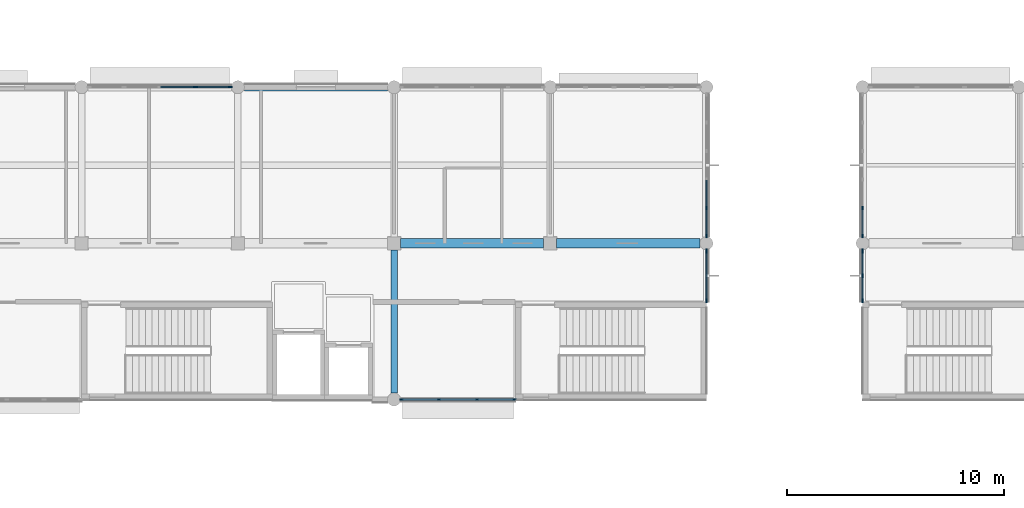
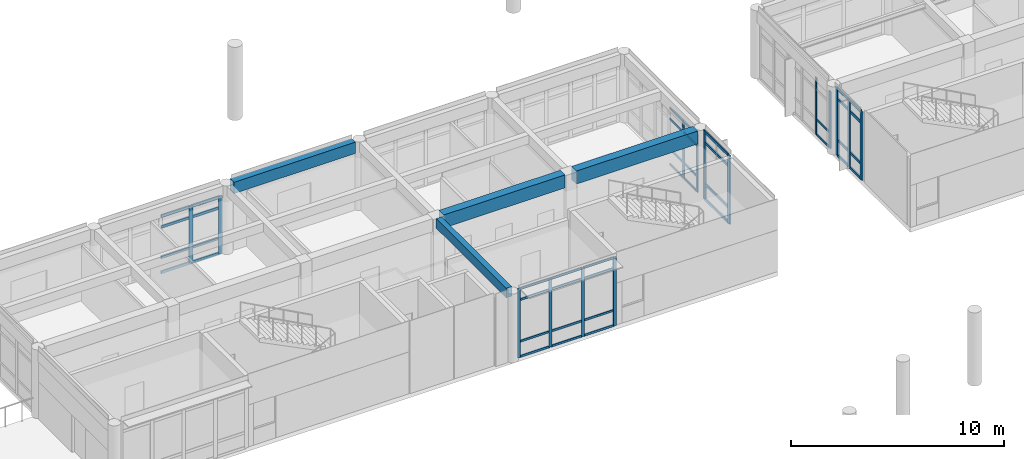
# One storey, part 8 of 41: 57 members, 4 beams, 6 elements without a shape of their own.
"""IFC4 building model written with IfcOpenShell, lengths in metres."""

from ifc_helpers import new_model, si_unit, direction, frame, origin, origin_2d, place, context, subcontext, project, spatial, rectangle, extrude, material, layer, layer_set, material_profile, profile_set, type_object, element, aggregate, save


model = new_model("IFC4")

# Units and contexts
model_context = context("Model", 3, precision=1e-05, world=origin(), true_north=direction((0.0, 1.0)))
body_context = subcontext(model_context, "Body", "Model", "MODEL_VIEW")
ifc_project = project(units=[si_unit("LENGTHUNIT", "METRE"), si_unit("AREAUNIT", "SQUARE_METRE"), si_unit("VOLUMEUNIT", "CUBIC_METRE"), si_unit("PLANEANGLEUNIT", "RADIAN"), si_unit("MASSUNIT", "GRAM", prefix="KILO")], contexts=[model_context])

# Site, building, storey
site_placement = place(None, origin())
site = spatial("IfcSite", under=ifc_project, at=site_placement, CompositionType="ELEMENT")
building_placement = place(site_placement, origin())
building = spatial("IfcBuilding", under=site, at=building_placement, Name="Namkhue Oval Health Centre", CompositionType="ELEMENT")
storey_placement = place(building_placement, frame((0.0, 0.0, 13.800048828125)))
storey = spatial("IfcBuildingStorey", under=building, at=storey_placement, Name="L03", CompositionType="ELEMENT", Elevation=13.800048828125)

# Curtain wall, members
ifc_material_1 = material(Name="Anodised aluminium EN AW-6063 T6", Category="aluminium")
ifc_layer_1 = layer(ifc_material_1, 0.159912109375)
ifc_layer_set_1 = layer_set([ifc_layer_1], Name="Anodised aluminium EN AW-6063 T6")
curtain_wall_type_1 = type_object("IfcCurtainWallType", Name="UNITISED CURTAIN WALL M1800", PredefinedType="NOTDEFINED", material=ifc_layer_set_1)
curtain_wall_1_placement = place(storey_placement, origin())
curtain_wall_1 = element("IfcCurtainWall", 1, at=curtain_wall_1_placement, inside=storey, type_object=curtain_wall_type_1, Name="Volume V2 L03 Unitised Curtain Wall 71", PredefinedType="NOTDEFINED")
ifc_material_profile_1 = material_profile(ifc_material_1, rectangle(XDim=0.06494140625, YDim=0.159912109375, at=origin_2d()), Name="ALU 65x160")
ifc_profile_set_1 = profile_set([ifc_material_profile_1], Name="Anodised aluminium EN AW-6063 T6")
member_type_1 = type_object("IfcMemberType", Name="CURTAIN WALL MULLION 65X160", PredefinedType="MULLION", material=ifc_profile_set_1)
member_1_placement = place(storey_placement, frame((72.342529296875, 90.0, 0.0), z_axis=(0.0, 0.0, 1.0), x_axis=(0.0, 1.0, 0.0)))
member_1 = element("IfcMember", 2, at=member_1_placement, type_object=member_type_1, Name="CW-05 mullion 1", PredefinedType="MULLION", context=body_context, shape_type="SweptSolid", body=[
    extrude(rectangle(XDim=0.06494140625, YDim=0.159912109375, at=origin_2d()), origin(), (0.0, 0.0, 1.0), 3.945068359375),
])
member_2_placement = place(storey_placement, frame((74.067626953125, 90.0, 0.0), z_axis=(0.0, 0.0, 1.0), x_axis=(0.0, 1.0, 0.0)))
member_2 = element("IfcMember", 3, at=member_2_placement, type_object=member_type_1, Name="CW-05 mullion 2", PredefinedType="MULLION", context=body_context, shape_type="SweptSolid", body=[
    extrude(rectangle(XDim=0.06494140625, YDim=0.159912109375, at=origin_2d()), origin(), (0.0, 0.0, 1.0), 3.945068359375),
])
member_3_placement = place(storey_placement, frame((75.825439453125, 90.0, 0.0), z_axis=(0.0, 0.0, 1.0), x_axis=(0.0, 1.0, 0.0)))
member_3 = element("IfcMember", 4, at=member_3_placement, type_object=member_type_1, Name="CW-05 mullion 3", PredefinedType="MULLION", context=body_context, shape_type="SweptSolid", body=[
    extrude(rectangle(XDim=0.06494140625, YDim=0.159912109375, at=origin_2d()), origin(), (0.0, 0.0, 1.0), 3.945068359375),
])
member_4_placement = place(storey_placement, frame((77.550537109375, 90.0, 0.0), z_axis=(0.0, 0.0, 1.0), x_axis=(0.0, 1.0, 0.0)))
member_4 = element("IfcMember", 5, at=member_4_placement, type_object=member_type_1, Name="CW-05 mullion 4", PredefinedType="MULLION", context=body_context, shape_type="SweptSolid", body=[
    extrude(rectangle(XDim=0.06494140625, YDim=0.159912109375, at=origin_2d()), origin(), (0.0, 0.0, 1.0), 3.945068359375),
])

ifc_layer_2 = layer(ifc_material_1, 0.159912109375)
ifc_layer_set_2 = layer_set([ifc_layer_2], Name="Anodised aluminium EN AW-6063 T6")
curtain_wall_type_2 = type_object("IfcCurtainWallType", Name="UNITISED CURTAIN WALL M1200", PredefinedType="NOTDEFINED", material=ifc_layer_set_2)
curtain_wall_2_placement = place(storey_placement, origin())
curtain_wall_2 = element("IfcCurtainWall", 6, at=curtain_wall_2_placement, inside=storey, type_object=curtain_wall_type_2, Name="Volume V2 L03 Unitised Curtain Wall 73", PredefinedType="NOTDEFINED")
member_5_placement = place(storey_placement, frame((86.39990234375, 97.54248046875, 0.0), z_axis=(0.0, 0.0, 1.0), x_axis=(-1.0, 0.0, 0.0)))
member_5 = element("IfcMember", 7, at=member_5_placement, type_object=member_type_1, Name="CW-01 mullion 1", PredefinedType="MULLION", context=body_context, shape_type="SweptSolid", body=[
    extrude(rectangle(XDim=0.06494140625, YDim=0.159912109375, at=origin_2d()), origin(), (0.0, 0.0, 1.0), 3.294921875),
])
member_6_placement = place(storey_placement, frame((86.39990234375, 98.825927734375, 0.0), z_axis=(0.0, 0.0, 1.0), x_axis=(-1.0, 0.0, 0.0)))
member_6 = element("IfcMember", 8, at=member_6_placement, type_object=member_type_1, Name="CW-01 mullion 2", PredefinedType="MULLION", context=body_context, shape_type="SweptSolid", body=[
    extrude(rectangle(XDim=0.06494140625, YDim=0.159912109375, at=origin_2d()), origin(), (0.0, 0.0, 1.0), 3.294921875),
])

curtain_wall_3_placement = place(storey_placement, origin())
curtain_wall_3 = element("IfcCurtainWall", 9, at=curtain_wall_3_placement, inside=storey, type_object=curtain_wall_type_2, Name="Volume V3 L03 Unitised Curtain Wall 121", PredefinedType="NOTDEFINED")
member_7_placement = place(storey_placement, frame((93.60009765625, 98.825927734375, 0.0), z_axis=(0.0, 0.0, 1.0), x_axis=(1.0, 0.0, 0.0)))
member_7 = element("IfcMember", 10, at=member_7_placement, type_object=member_type_1, Name="CW-01 mullion 5", PredefinedType="MULLION", context=body_context, shape_type="SweptSolid", body=[
    extrude(rectangle(XDim=0.06494140625, YDim=0.159912109375, at=origin_2d()), origin(), (0.0, 0.0, 1.0), 3.27001953125),
])
member_8_placement = place(storey_placement, frame((93.60009765625, 97.54248046875, 0.0), z_axis=(0.0, 0.0, 1.0), x_axis=(1.0, 0.0, 0.0)))
member_8 = element("IfcMember", 11, at=member_8_placement, type_object=member_type_1, Name="CW-01 mullion 6", PredefinedType="MULLION", context=body_context, shape_type="SweptSolid", body=[
    extrude(rectangle(XDim=0.06494140625, YDim=0.159912109375, at=origin_2d()), origin(), (0.0, 0.0, 1.0), 3.27001953125),
])

ifc_layer_3 = layer(ifc_material_1, 0.159912109375)
ifc_layer_set_3 = layer_set([ifc_layer_3], Name="Anodised aluminium EN AW-6063 T6")
curtain_wall_type_3 = type_object("IfcCurtainWallType", Name="UNITISED CURTAIN WALL M2000", PredefinedType="NOTDEFINED", material=ifc_layer_set_3)
curtain_wall_4_placement = place(storey_placement, origin())
curtain_wall_4 = element("IfcCurtainWall", 12, at=curtain_wall_4_placement, inside=storey, type_object=curtain_wall_type_3, Name="Volume V2 L03 Unitised Curtain Wall 72", PredefinedType="NOTDEFINED")
ifc_material_profile_2 = material_profile(ifc_material_1, rectangle(XDim=0.074951171875, YDim=0.199951171875, at=origin_2d()), Name="ALU 75x200")
ifc_profile_set_2 = profile_set([ifc_material_profile_2], Name="Anodised aluminium EN AW-6063 T6")
member_type_2 = type_object("IfcMemberType", Name="CURTAIN WALL MULLION 75X200", PredefinedType="MULLION", material=ifc_profile_set_2)
member_9_placement = place(storey_placement, frame((86.39990234375, 94.554443359375, 0.0), z_axis=(0.0, 0.0, 1.0), x_axis=(-1.0, 0.0, 0.0)))
member_9 = element("IfcMember", 13, at=member_9_placement, type_object=member_type_2, Name="CW-06 mullion 1", PredefinedType="MULLION", context=body_context, shape_type="SweptSolid", body=[
    extrude(rectangle(XDim=0.074951171875, YDim=0.199951171875, at=origin_2d()), origin(), (0.0, 0.0, 1.0), 3.945068359375),
])
member_10_placement = place(storey_placement, frame((86.39990234375, 96.8525390625, 0.0), z_axis=(0.0, 0.0, 1.0), x_axis=(-1.0, 0.0, 0.0)))
member_10 = element("IfcMember", 14, at=member_10_placement, type_object=member_type_2, Name="CW-06 mullion 2", PredefinedType="MULLION", context=body_context, shape_type="SweptSolid", body=[
    extrude(rectangle(XDim=0.074951171875, YDim=0.199951171875, at=origin_2d()), origin(), (0.0, 0.0, 1.0), 3.945068359375),
])

ifc_layer_4 = layer(ifc_material_1, 0.159912109375)
ifc_layer_set_4 = layer_set([ifc_layer_4], Name="Anodised aluminium EN AW-6063 T6")
curtain_wall_type_4 = type_object("IfcCurtainWallType", Name="UNITISED CURTAIN WALL M1600", PredefinedType="NOTDEFINED", material=ifc_layer_set_4)
curtain_wall_5_placement = place(storey_placement, origin())
curtain_wall_5 = element("IfcCurtainWall", 15, at=curtain_wall_5_placement, inside=storey, type_object=curtain_wall_type_4, Name="Volume V2 L03 Unitised Curtain Wall 76", PredefinedType="NOTDEFINED")
member_11_placement = place(storey_placement, frame((64.452392578125, 104.39990234375, 0.0), z_axis=(0.0, 0.0, 1.0), x_axis=(0.0, -1.0, 0.0)))
member_11 = element("IfcMember", 16, at=member_11_placement, type_object=member_type_2, Name="CW-04 mullion 1", PredefinedType="MULLION", context=body_context, shape_type="SweptSolid", body=[
    extrude(rectangle(XDim=0.074951171875, YDim=0.199951171875, at=origin_2d()), origin(), (0.0, 0.0, 1.0), 3.294921875),
])
member_12_placement = place(storey_placement, frame((62.844970703125, 104.39990234375, 0.0), z_axis=(0.0, 0.0, 1.0), x_axis=(0.0, -1.0, 0.0)))
member_12 = element("IfcMember", 17, at=member_12_placement, type_object=member_type_2, Name="CW-04 mullion 2", PredefinedType="MULLION", context=body_context, shape_type="SweptSolid", body=[
    extrude(rectangle(XDim=0.074951171875, YDim=0.199951171875, at=origin_2d()), origin(), (0.0, 0.0, 1.0), 3.294921875),
])

ifc_layer_5 = layer(ifc_material_1, 0.159912109375)
ifc_layer_set_5 = layer_set([ifc_layer_5], Name="Anodised aluminium EN AW-6063 T6")
curtain_wall_type_5 = type_object("IfcCurtainWallType", Name="UNITISED CURTAIN WALL M1350", PredefinedType="NOTDEFINED", material=ifc_layer_set_5)
curtain_wall_6_placement = place(storey_placement, origin())
curtain_wall_6 = element("IfcCurtainWall", 18, at=curtain_wall_6_placement, inside=storey, type_object=curtain_wall_type_5, Name="Volume V3 L03 Unitised Curtain Wall 122", PredefinedType="NOTDEFINED")
member_13_placement = place(storey_placement, frame((93.60009765625, 96.8525390625, 0.0), z_axis=(0.0, 0.0, 1.0), x_axis=(1.0, 0.0, 0.0)))
member_13 = element("IfcMember", 19, at=member_13_placement, type_object=member_type_2, Name="CW-02 mullion 1", PredefinedType="MULLION", context=body_context, shape_type="SweptSolid", body=[
    extrude(rectangle(XDim=0.074951171875, YDim=0.199951171875, at=origin_2d()), origin(), (0.0, 0.0, 1.0), 3.919921875),
])
member_14_placement = place(storey_placement, frame((93.60009765625, 95.70361328125, 0.0), z_axis=(0.0, 0.0, 1.0), x_axis=(1.0, 0.0, 0.0)))
member_14 = element("IfcMember", 20, at=member_14_placement, type_object=member_type_2, Name="CW-02 mullion 2", PredefinedType="MULLION", context=body_context, shape_type="SweptSolid", body=[
    extrude(rectangle(XDim=0.074951171875, YDim=0.199951171875, at=origin_2d()), origin(), (0.0, 0.0, 1.0), 3.919921875),
])
member_15_placement = place(storey_placement, frame((93.60009765625, 94.554443359375, 0.0), z_axis=(0.0, 0.0, 1.0), x_axis=(1.0, 0.0, 0.0)))
member_15 = element("IfcMember", 21, at=member_15_placement, type_object=member_type_2, Name="CW-02 mullion 3", PredefinedType="MULLION", context=body_context, shape_type="SweptSolid", body=[
    extrude(rectangle(XDim=0.074951171875, YDim=0.199951171875, at=origin_2d()), origin(), (0.0, 0.0, 1.0), 3.919921875),
])

# Member
ifc_material_profile_3 = material_profile(ifc_material_1, rectangle(XDim=0.06494140625, YDim=0.1201171875, at=origin_2d()), Name="ALU 65x120")
ifc_profile_set_3 = profile_set([ifc_material_profile_3], Name="Anodised aluminium EN AW-6063 T6")
member_type_3 = type_object("IfcMemberType", Name="CURTAIN WALL TRANSOM 65X120", PredefinedType="USERDEFINED", material=ifc_profile_set_3)
member_16_placement = place(storey_placement, frame((72.375, 90.0, 0.032470703125), z_axis=(1.0, 0.0, 0.0), x_axis=(0.0, 1.0, 0.0)))
member_16 = element("IfcMember", 22, at=member_16_placement, type_object=member_type_3, Name="CW-05 transom 1.1", ObjectType="TRANSOM", PredefinedType="USERDEFINED", context=body_context, shape_type="SweptSolid", body=[
    extrude(rectangle(XDim=0.06494140625, YDim=0.1201171875, at=origin_2d()), origin(), (0.0, 0.0, 1.0), 1.66015625),
])

member_17_placement = place(storey_placement, frame((72.375, 90.0, 0.89990234375), z_axis=(1.0, 0.0, 0.0), x_axis=(0.0, 1.0, 0.0)))
member_17 = element("IfcMember", 23, at=member_17_placement, type_object=member_type_3, Name="CW-05 transom 1.2", ObjectType="TRANSOM", PredefinedType="USERDEFINED", context=body_context, shape_type="SweptSolid", body=[
    extrude(rectangle(XDim=0.06494140625, YDim=0.1201171875, at=origin_2d()), origin(), (0.0, 0.0, 1.0), 1.66015625),
])

member_18_placement = place(storey_placement, frame((72.375, 90.0, 3.294921875), z_axis=(1.0, 0.0, 0.0), x_axis=(0.0, 1.0, 0.0)))
member_18 = element("IfcMember", 24, at=member_18_placement, type_object=member_type_3, Name="CW-05 transom 1.3", ObjectType="TRANSOM", PredefinedType="USERDEFINED", context=body_context, shape_type="SweptSolid", body=[
    extrude(rectangle(XDim=0.06494140625, YDim=0.1201171875, at=origin_2d()), origin(), (0.0, 0.0, 1.0), 1.66015625),
])

member_19_placement = place(storey_placement, frame((72.375, 90.0, 3.912353515625), z_axis=(1.0, 0.0, 0.0), x_axis=(0.0, 1.0, 0.0)))
member_19 = element("IfcMember", 25, at=member_19_placement, type_object=member_type_3, Name="CW-05 transom 1.4", ObjectType="TRANSOM", PredefinedType="USERDEFINED", context=body_context, shape_type="SweptSolid", body=[
    extrude(rectangle(XDim=0.06494140625, YDim=0.1201171875, at=origin_2d()), origin(), (0.0, 0.0, 1.0), 1.66015625),
])

member_20_placement = place(storey_placement, frame((74.10009765625, 90.0, 0.032470703125), z_axis=(1.0, 0.0, 0.0), x_axis=(0.0, 1.0, 0.0)))
member_20 = element("IfcMember", 26, at=member_20_placement, type_object=member_type_3, Name="CW-05 transom 2.1", ObjectType="TRANSOM", PredefinedType="USERDEFINED", context=body_context, shape_type="SweptSolid", body=[
    extrude(rectangle(XDim=0.06494140625, YDim=0.1201171875, at=origin_2d()), origin(), (0.0, 0.0, 1.0), 1.692626953125),
])

member_21_placement = place(storey_placement, frame((74.10009765625, 90.0, 0.89990234375), z_axis=(1.0, 0.0, 0.0), x_axis=(0.0, 1.0, 0.0)))
member_21 = element("IfcMember", 27, at=member_21_placement, type_object=member_type_3, Name="CW-05 transom 2.2", ObjectType="TRANSOM", PredefinedType="USERDEFINED", context=body_context, shape_type="SweptSolid", body=[
    extrude(rectangle(XDim=0.06494140625, YDim=0.1201171875, at=origin_2d()), origin(), (0.0, 0.0, 1.0), 1.692626953125),
])

member_22_placement = place(storey_placement, frame((74.10009765625, 90.0, 3.294921875), z_axis=(1.0, 0.0, 0.0), x_axis=(0.0, 1.0, 0.0)))
member_22 = element("IfcMember", 28, at=member_22_placement, type_object=member_type_3, Name="CW-05 transom 2.3", ObjectType="TRANSOM", PredefinedType="USERDEFINED", context=body_context, shape_type="SweptSolid", body=[
    extrude(rectangle(XDim=0.06494140625, YDim=0.1201171875, at=origin_2d()), origin(), (0.0, 0.0, 1.0), 1.692626953125),
])

member_23_placement = place(storey_placement, frame((74.10009765625, 90.0, 3.912353515625), z_axis=(1.0, 0.0, 0.0), x_axis=(0.0, 1.0, 0.0)))
member_23 = element("IfcMember", 29, at=member_23_placement, type_object=member_type_3, Name="CW-05 transom 2.4", ObjectType="TRANSOM", PredefinedType="USERDEFINED", context=body_context, shape_type="SweptSolid", body=[
    extrude(rectangle(XDim=0.06494140625, YDim=0.1201171875, at=origin_2d()), origin(), (0.0, 0.0, 1.0), 1.692626953125),
])

member_24_placement = place(storey_placement, frame((75.85791015625, 90.0, 0.032470703125), z_axis=(1.0, 0.0, 0.0), x_axis=(0.0, 1.0, 0.0)))
member_24 = element("IfcMember", 30, at=member_24_placement, type_object=member_type_3, Name="CW-05 transom 3.1", ObjectType="TRANSOM", PredefinedType="USERDEFINED", context=body_context, shape_type="SweptSolid", body=[
    extrude(rectangle(XDim=0.06494140625, YDim=0.1201171875, at=origin_2d()), origin(), (0.0, 0.0, 1.0), 1.66015625),
])

member_25_placement = place(storey_placement, frame((75.85791015625, 90.0, 0.89990234375), z_axis=(1.0, 0.0, 0.0), x_axis=(0.0, 1.0, 0.0)))
member_25 = element("IfcMember", 31, at=member_25_placement, type_object=member_type_3, Name="CW-05 transom 3.2", ObjectType="TRANSOM", PredefinedType="USERDEFINED", context=body_context, shape_type="SweptSolid", body=[
    extrude(rectangle(XDim=0.06494140625, YDim=0.1201171875, at=origin_2d()), origin(), (0.0, 0.0, 1.0), 1.66015625),
])

member_26_placement = place(storey_placement, frame((75.85791015625, 90.0, 3.294921875), z_axis=(1.0, 0.0, 0.0), x_axis=(0.0, 1.0, 0.0)))
member_26 = element("IfcMember", 32, at=member_26_placement, type_object=member_type_3, Name="CW-05 transom 3.3", ObjectType="TRANSOM", PredefinedType="USERDEFINED", context=body_context, shape_type="SweptSolid", body=[
    extrude(rectangle(XDim=0.06494140625, YDim=0.1201171875, at=origin_2d()), origin(), (0.0, 0.0, 1.0), 1.66015625),
])

member_27_placement = place(storey_placement, frame((75.85791015625, 90.0, 3.912353515625), z_axis=(1.0, 0.0, 0.0), x_axis=(0.0, 1.0, 0.0)))
member_27 = element("IfcMember", 33, at=member_27_placement, type_object=member_type_3, Name="CW-05 transom 3.4", ObjectType="TRANSOM", PredefinedType="USERDEFINED", context=body_context, shape_type="SweptSolid", body=[
    extrude(rectangle(XDim=0.06494140625, YDim=0.1201171875, at=origin_2d()), origin(), (0.0, 0.0, 1.0), 1.66015625),
])

aggregate(curtain_wall_1, [member_1, member_2, member_3, member_4, member_16, member_17, member_18, member_19, member_20, member_21, member_22, member_23, member_24, member_25, member_26, member_27])

member_28_placement = place(storey_placement, frame((86.39990234375, 97.574951171875, 0.032470703125), z_axis=(0.0, 1.0, 0.0), x_axis=(-1.0, 0.0, 0.0)))
member_28 = element("IfcMember", 34, at=member_28_placement, type_object=member_type_3, Name="CW-01 transom 1.1", ObjectType="TRANSOM", PredefinedType="USERDEFINED", context=body_context, shape_type="SweptSolid", body=[
    extrude(rectangle(XDim=0.06494140625, YDim=0.1201171875, at=origin_2d()), origin(), (0.0, 0.0, 1.0), 1.218505859375),
])

member_29_placement = place(storey_placement, frame((86.39990234375, 97.574951171875, 0.89990234375), z_axis=(0.0, 1.0, 0.0), x_axis=(-1.0, 0.0, 0.0)))
member_29 = element("IfcMember", 35, at=member_29_placement, type_object=member_type_3, Name="CW-01 transom 1.2", ObjectType="TRANSOM", PredefinedType="USERDEFINED", context=body_context, shape_type="SweptSolid", body=[
    extrude(rectangle(XDim=0.06494140625, YDim=0.1201171875, at=origin_2d()), origin(), (0.0, 0.0, 1.0), 1.218505859375),
])

member_30_placement = place(storey_placement, frame((86.39990234375, 97.574951171875, 2.64501953125), z_axis=(0.0, 1.0, 0.0), x_axis=(-1.0, 0.0, 0.0)))
member_30 = element("IfcMember", 36, at=member_30_placement, type_object=member_type_3, Name="CW-01 transom 1.3", ObjectType="TRANSOM", PredefinedType="USERDEFINED", context=body_context, shape_type="SweptSolid", body=[
    extrude(rectangle(XDim=0.06494140625, YDim=0.1201171875, at=origin_2d()), origin(), (0.0, 0.0, 1.0), 1.218505859375),
])

member_31_placement = place(storey_placement, frame((86.39990234375, 97.574951171875, 3.262451171875), z_axis=(0.0, 1.0, 0.0), x_axis=(-1.0, 0.0, 0.0)))
member_31 = element("IfcMember", 37, at=member_31_placement, type_object=member_type_3, Name="CW-01 transom 1.4", ObjectType="TRANSOM", PredefinedType="USERDEFINED", context=body_context, shape_type="SweptSolid", body=[
    extrude(rectangle(XDim=0.06494140625, YDim=0.1201171875, at=origin_2d()), origin(), (0.0, 0.0, 1.0), 1.218505859375),
])

member_32_placement = place(storey_placement, frame((86.39990234375, 98.8583984375, 0.032470703125), z_axis=(0.0, 1.0, 0.0), x_axis=(-1.0, 0.0, 0.0)))
member_32 = element("IfcMember", 38, at=member_32_placement, type_object=member_type_3, Name="CW-01 transom 2.1", ObjectType="TRANSOM", PredefinedType="USERDEFINED", context=body_context, shape_type="SweptSolid", body=[
    extrude(rectangle(XDim=0.06494140625, YDim=0.1201171875, at=origin_2d()), origin(), (0.0, 0.0, 1.0), 1.251220703125),
])

member_33_placement = place(storey_placement, frame((86.39990234375, 98.8583984375, 0.89990234375), z_axis=(0.0, 1.0, 0.0), x_axis=(-1.0, 0.0, 0.0)))
member_33 = element("IfcMember", 39, at=member_33_placement, type_object=member_type_3, Name="CW-01 transom 2.2", ObjectType="TRANSOM", PredefinedType="USERDEFINED", context=body_context, shape_type="SweptSolid", body=[
    extrude(rectangle(XDim=0.06494140625, YDim=0.1201171875, at=origin_2d()), origin(), (0.0, 0.0, 1.0), 1.251220703125),
])

member_34_placement = place(storey_placement, frame((86.39990234375, 98.8583984375, 2.64501953125), z_axis=(0.0, 1.0, 0.0), x_axis=(-1.0, 0.0, 0.0)))
member_34 = element("IfcMember", 40, at=member_34_placement, type_object=member_type_3, Name="CW-01 transom 2.3", ObjectType="TRANSOM", PredefinedType="USERDEFINED", context=body_context, shape_type="SweptSolid", body=[
    extrude(rectangle(XDim=0.06494140625, YDim=0.1201171875, at=origin_2d()), origin(), (0.0, 0.0, 1.0), 1.251220703125),
])

member_35_placement = place(storey_placement, frame((86.39990234375, 98.8583984375, 3.262451171875), z_axis=(0.0, 1.0, 0.0), x_axis=(-1.0, 0.0, 0.0)))
member_35 = element("IfcMember", 41, at=member_35_placement, type_object=member_type_3, Name="CW-01 transom 2.4", ObjectType="TRANSOM", PredefinedType="USERDEFINED", context=body_context, shape_type="SweptSolid", body=[
    extrude(rectangle(XDim=0.06494140625, YDim=0.1201171875, at=origin_2d()), origin(), (0.0, 0.0, 1.0), 1.251220703125),
])

aggregate(curtain_wall_2, [member_5, member_6, member_28, member_29, member_30, member_31, member_32, member_33, member_34, member_35])

member_36_placement = place(storey_placement, frame((93.60009765625, 98.79345703125, 0.032470703125), z_axis=(0.0, -1.0, 0.0), x_axis=(1.0, 0.0, 0.0)))
member_36 = element("IfcMember", 42, at=member_36_placement, type_object=member_type_3, Name="CW-01 transom 5.1", ObjectType="TRANSOM", PredefinedType="USERDEFINED", context=body_context, shape_type="SweptSolid", body=[
    extrude(rectangle(XDim=0.06494140625, YDim=0.1201171875, at=origin_2d()), origin(), (0.0, 0.0, 1.0), 1.218505859375),
])

member_37_placement = place(storey_placement, frame((93.60009765625, 98.79345703125, 0.89990234375), z_axis=(0.0, -1.0, 0.0), x_axis=(1.0, 0.0, 0.0)))
member_37 = element("IfcMember", 43, at=member_37_placement, type_object=member_type_3, Name="CW-01 transom 5.2", ObjectType="TRANSOM", PredefinedType="USERDEFINED", context=body_context, shape_type="SweptSolid", body=[
    extrude(rectangle(XDim=0.06494140625, YDim=0.1201171875, at=origin_2d()), origin(), (0.0, 0.0, 1.0), 1.218505859375),
])

aggregate(curtain_wall_3, [member_7, member_8, member_36, member_37])

ifc_material_profile_4 = material_profile(ifc_material_1, rectangle(XDim=0.074951171875, YDim=0.14990234375, at=origin_2d()), Name="ALU 75x150")
ifc_profile_set_4 = profile_set([ifc_material_profile_4], Name="Anodised aluminium EN AW-6063 T6")
member_type_4 = type_object("IfcMemberType", Name="CURTAIN WALL TRANSOM 75X150", PredefinedType="USERDEFINED", material=ifc_profile_set_4)
member_38_placement = place(storey_placement, frame((86.39990234375, 94.592041015625, 0.037353515625), z_axis=(0.0, 1.0, 0.0), x_axis=(-1.0, 0.0, 0.0)))
member_38 = element("IfcMember", 44, at=member_38_placement, type_object=member_type_4, Name="CW-06 transom 1.1", ObjectType="TRANSOM", PredefinedType="USERDEFINED", context=body_context, shape_type="SweptSolid", body=[
    extrude(rectangle(XDim=0.074951171875, YDim=0.14990234375, at=origin_2d()), origin(), (0.0, 0.0, 1.0), 2.222900390625),
])

member_39_placement = place(storey_placement, frame((86.39990234375, 94.592041015625, 0.89990234375), z_axis=(0.0, 1.0, 0.0), x_axis=(-1.0, 0.0, 0.0)))
member_39 = element("IfcMember", 45, at=member_39_placement, type_object=member_type_4, Name="CW-06 transom 1.2", ObjectType="TRANSOM", PredefinedType="USERDEFINED", context=body_context, shape_type="SweptSolid", body=[
    extrude(rectangle(XDim=0.074951171875, YDim=0.14990234375, at=origin_2d()), origin(), (0.0, 0.0, 1.0), 2.222900390625),
])

member_40_placement = place(storey_placement, frame((86.39990234375, 94.592041015625, 3.294921875), z_axis=(0.0, 1.0, 0.0), x_axis=(-1.0, 0.0, 0.0)))
member_40 = element("IfcMember", 46, at=member_40_placement, type_object=member_type_4, Name="CW-06 transom 1.3", ObjectType="TRANSOM", PredefinedType="USERDEFINED", context=body_context, shape_type="SweptSolid", body=[
    extrude(rectangle(XDim=0.074951171875, YDim=0.14990234375, at=origin_2d()), origin(), (0.0, 0.0, 1.0), 2.222900390625),
])

member_41_placement = place(storey_placement, frame((86.39990234375, 94.592041015625, 3.907470703125), z_axis=(0.0, 1.0, 0.0), x_axis=(-1.0, 0.0, 0.0)))
member_41 = element("IfcMember", 47, at=member_41_placement, type_object=member_type_4, Name="CW-06 transom 1.4", ObjectType="TRANSOM", PredefinedType="USERDEFINED", context=body_context, shape_type="SweptSolid", body=[
    extrude(rectangle(XDim=0.074951171875, YDim=0.14990234375, at=origin_2d()), origin(), (0.0, 0.0, 1.0), 2.222900390625),
])

aggregate(curtain_wall_4, [member_9, member_10, member_38, member_39, member_40, member_41])

member_42_placement = place(storey_placement, frame((64.4150390625, 104.39990234375, 0.037353515625), z_axis=(-1.0, 0.0, 0.0), x_axis=(0.0, -1.0, 0.0)))
member_42 = element("IfcMember", 48, at=member_42_placement, type_object=member_type_4, Name="CW-04 transom 1.1", ObjectType="TRANSOM", PredefinedType="USERDEFINED", context=body_context, shape_type="SweptSolid", body=[
    extrude(rectangle(XDim=0.074951171875, YDim=0.14990234375, at=origin_2d()), origin(), (0.0, 0.0, 1.0), 1.532470703125),
])

member_43_placement = place(storey_placement, frame((64.4150390625, 104.39990234375, 0.89990234375), z_axis=(-1.0, 0.0, 0.0), x_axis=(0.0, -1.0, 0.0)))
member_43 = element("IfcMember", 49, at=member_43_placement, type_object=member_type_4, Name="CW-04 transom 1.2", ObjectType="TRANSOM", PredefinedType="USERDEFINED", context=body_context, shape_type="SweptSolid", body=[
    extrude(rectangle(XDim=0.074951171875, YDim=0.14990234375, at=origin_2d()), origin(), (0.0, 0.0, 1.0), 1.532470703125),
])

member_44_placement = place(storey_placement, frame((64.4150390625, 104.39990234375, 2.64501953125), z_axis=(-1.0, 0.0, 0.0), x_axis=(0.0, -1.0, 0.0)))
member_44 = element("IfcMember", 50, at=member_44_placement, type_object=member_type_4, Name="CW-04 transom 1.3", ObjectType="TRANSOM", PredefinedType="USERDEFINED", context=body_context, shape_type="SweptSolid", body=[
    extrude(rectangle(XDim=0.074951171875, YDim=0.14990234375, at=origin_2d()), origin(), (0.0, 0.0, 1.0), 1.532470703125),
])

member_45_placement = place(storey_placement, frame((64.4150390625, 104.39990234375, 3.257568359375), z_axis=(-1.0, 0.0, 0.0), x_axis=(0.0, -1.0, 0.0)))
member_45 = element("IfcMember", 51, at=member_45_placement, type_object=member_type_4, Name="CW-04 transom 1.4", ObjectType="TRANSOM", PredefinedType="USERDEFINED", context=body_context, shape_type="SweptSolid", body=[
    extrude(rectangle(XDim=0.074951171875, YDim=0.14990234375, at=origin_2d()), origin(), (0.0, 0.0, 1.0), 1.532470703125),
])

member_46_placement = place(storey_placement, frame((62.8076171875, 104.39990234375, 0.037353515625), z_axis=(-1.0, 0.0, 0.0), x_axis=(0.0, -1.0, 0.0)))
member_46 = element("IfcMember", 52, at=member_46_placement, type_object=member_type_4, Name="CW-04 transom 2.1", ObjectType="TRANSOM", PredefinedType="USERDEFINED", context=body_context, shape_type="SweptSolid", body=[
    extrude(rectangle(XDim=0.074951171875, YDim=0.14990234375, at=origin_2d()), origin(), (0.0, 0.0, 1.0), 1.570068359375),
])

member_47_placement = place(storey_placement, frame((62.8076171875, 104.39990234375, 0.89990234375), z_axis=(-1.0, 0.0, 0.0), x_axis=(0.0, -1.0, 0.0)))
member_47 = element("IfcMember", 53, at=member_47_placement, type_object=member_type_4, Name="CW-04 transom 2.2", ObjectType="TRANSOM", PredefinedType="USERDEFINED", context=body_context, shape_type="SweptSolid", body=[
    extrude(rectangle(XDim=0.074951171875, YDim=0.14990234375, at=origin_2d()), origin(), (0.0, 0.0, 1.0), 1.570068359375),
])

member_48_placement = place(storey_placement, frame((62.8076171875, 104.39990234375, 2.64501953125), z_axis=(-1.0, 0.0, 0.0), x_axis=(0.0, -1.0, 0.0)))
member_48 = element("IfcMember", 54, at=member_48_placement, type_object=member_type_4, Name="CW-04 transom 2.3", ObjectType="TRANSOM", PredefinedType="USERDEFINED", context=body_context, shape_type="SweptSolid", body=[
    extrude(rectangle(XDim=0.074951171875, YDim=0.14990234375, at=origin_2d()), origin(), (0.0, 0.0, 1.0), 1.570068359375),
])

member_49_placement = place(storey_placement, frame((62.8076171875, 104.39990234375, 3.257568359375), z_axis=(-1.0, 0.0, 0.0), x_axis=(0.0, -1.0, 0.0)))
member_49 = element("IfcMember", 55, at=member_49_placement, type_object=member_type_4, Name="CW-04 transom 2.4", ObjectType="TRANSOM", PredefinedType="USERDEFINED", context=body_context, shape_type="SweptSolid", body=[
    extrude(rectangle(XDim=0.074951171875, YDim=0.14990234375, at=origin_2d()), origin(), (0.0, 0.0, 1.0), 1.570068359375),
])

aggregate(curtain_wall_5, [member_11, member_12, member_42, member_43, member_44, member_45, member_46, member_47, member_48, member_49])

member_50_placement = place(storey_placement, frame((93.60009765625, 96.81494140625, 0.037353515625), z_axis=(0.0, -1.0, 0.0), x_axis=(1.0, 0.0, 0.0)))
member_50 = element("IfcMember", 56, at=member_50_placement, type_object=member_type_4, Name="CW-02 transom 1.1", ObjectType="TRANSOM", PredefinedType="USERDEFINED", context=body_context, shape_type="SweptSolid", body=[
    extrude(rectangle(XDim=0.074951171875, YDim=0.14990234375, at=origin_2d()), origin(), (0.0, 0.0, 1.0), 1.073974609375),
])

member_51_placement = place(storey_placement, frame((93.60009765625, 96.81494140625, 0.89990234375), z_axis=(0.0, -1.0, 0.0), x_axis=(1.0, 0.0, 0.0)))
member_51 = element("IfcMember", 57, at=member_51_placement, type_object=member_type_4, Name="CW-02 transom 1.2", ObjectType="TRANSOM", PredefinedType="USERDEFINED", context=body_context, shape_type="SweptSolid", body=[
    extrude(rectangle(XDim=0.074951171875, YDim=0.14990234375, at=origin_2d()), origin(), (0.0, 0.0, 1.0), 1.073974609375),
])

member_52_placement = place(storey_placement, frame((93.60009765625, 96.81494140625, 3.27001953125), z_axis=(0.0, -1.0, 0.0), x_axis=(1.0, 0.0, 0.0)))
member_52 = element("IfcMember", 58, at=member_52_placement, type_object=member_type_4, Name="CW-02 transom 1.3", ObjectType="TRANSOM", PredefinedType="USERDEFINED", context=body_context, shape_type="SweptSolid", body=[
    extrude(rectangle(XDim=0.074951171875, YDim=0.14990234375, at=origin_2d()), origin(), (0.0, 0.0, 1.0), 1.073974609375),
])

member_53_placement = place(storey_placement, frame((93.60009765625, 96.81494140625, 3.882568359375), z_axis=(0.0, -1.0, 0.0), x_axis=(1.0, 0.0, 0.0)))
member_53 = element("IfcMember", 59, at=member_53_placement, type_object=member_type_4, Name="CW-02 transom 1.4", ObjectType="TRANSOM", PredefinedType="USERDEFINED", context=body_context, shape_type="SweptSolid", body=[
    extrude(rectangle(XDim=0.074951171875, YDim=0.14990234375, at=origin_2d()), origin(), (0.0, 0.0, 1.0), 1.073974609375),
])

member_54_placement = place(storey_placement, frame((93.60009765625, 95.666015625, 0.037353515625), z_axis=(0.0, -1.0, 0.0), x_axis=(1.0, 0.0, 0.0)))
member_54 = element("IfcMember", 60, at=member_54_placement, type_object=member_type_4, Name="CW-02 transom 2.1", ObjectType="TRANSOM", PredefinedType="USERDEFINED", context=body_context, shape_type="SweptSolid", body=[
    extrude(rectangle(XDim=0.074951171875, YDim=0.14990234375, at=origin_2d()), origin(), (0.0, 0.0, 1.0), 1.073974609375),
])

member_55_placement = place(storey_placement, frame((93.60009765625, 95.666015625, 0.89990234375), z_axis=(0.0, -1.0, 0.0), x_axis=(1.0, 0.0, 0.0)))
member_55 = element("IfcMember", 61, at=member_55_placement, type_object=member_type_4, Name="CW-02 transom 2.2", ObjectType="TRANSOM", PredefinedType="USERDEFINED", context=body_context, shape_type="SweptSolid", body=[
    extrude(rectangle(XDim=0.074951171875, YDim=0.14990234375, at=origin_2d()), origin(), (0.0, 0.0, 1.0), 1.073974609375),
])

member_56_placement = place(storey_placement, frame((93.60009765625, 95.666015625, 3.27001953125), z_axis=(0.0, -1.0, 0.0), x_axis=(1.0, 0.0, 0.0)))
member_56 = element("IfcMember", 62, at=member_56_placement, type_object=member_type_4, Name="CW-02 transom 2.3", ObjectType="TRANSOM", PredefinedType="USERDEFINED", context=body_context, shape_type="SweptSolid", body=[
    extrude(rectangle(XDim=0.074951171875, YDim=0.14990234375, at=origin_2d()), origin(), (0.0, 0.0, 1.0), 1.073974609375),
])

member_57_placement = place(storey_placement, frame((93.60009765625, 95.666015625, 3.882568359375), z_axis=(0.0, -1.0, 0.0), x_axis=(1.0, 0.0, 0.0)))
member_57 = element("IfcMember", 63, at=member_57_placement, type_object=member_type_4, Name="CW-02 transom 2.4", ObjectType="TRANSOM", PredefinedType="USERDEFINED", context=body_context, shape_type="SweptSolid", body=[
    extrude(rectangle(XDim=0.074951171875, YDim=0.14990234375, at=origin_2d()), origin(), (0.0, 0.0, 1.0), 1.073974609375),
])

aggregate(curtain_wall_6, [member_13, member_14, member_15, member_50, member_51, member_52, member_53, member_54, member_55, member_56, member_57])

# Beams
ifc_material_2 = material(Name="Reinforced concrete C30/37 (TCVN B35)", Category="concrete")
ifc_material_profile_5 = material_profile(ifc_material_2, rectangle(XDim=0.300048828125, YDim=0.550048828125, at=origin_2d()), Name="RC 300x550")
ifc_profile_set_5 = profile_set([ifc_material_profile_5], Name="Reinforced concrete C30/37 (TCVN B35)")
beam_type_1 = type_object("IfcBeamType", Name="FLOOR BEAM RC 300X550", PredefinedType="BEAM", material=ifc_profile_set_5)
beam_1_placement = place(storey_placement, frame((72.0, 90.300048828125, 3.669921875), z_axis=(0.0, 1.0, 0.0), x_axis=(-1.0, 0.0, 0.0)))
element("IfcBeam", 64, at=beam_1_placement, inside=storey, type_object=beam_type_1, Name="Volume V2 L04 Beam 11/N-O", PredefinedType="BEAM", context=body_context, shape_type="SweptSolid", body=[
    extrude(rectangle(XDim=0.300048828125, YDim=0.550048828125, at=origin_2d()), origin(), (0.0, 0.0, 1.0), 6.599853515625),
])
ifc_material_3 = material(Name="Reinforced concrete C35/45 (TCVN B40)", Category="concrete")
ifc_material_profile_6 = material_profile(ifc_material_3, rectangle(XDim=0.35009765625, YDim=0.64990234375, at=origin_2d()), Name="RC 350x650")
ifc_profile_set_6 = profile_set([ifc_material_profile_6], Name="Reinforced concrete C35/45 (TCVN B40)")
beam_type_2 = type_object("IfcBeamType", Name="PERIMETER SPANDREL BEAM 350X650", PredefinedType="SPANDREL", material=ifc_profile_set_6)
beam_2_placement = place(storey_placement, frame((65.10009765625, 104.39990234375, 3.619873046875), z_axis=(1.0, 0.0, 0.0), x_axis=(0.0, 1.0, 0.0)))
element("IfcBeam", 65, at=beam_2_placement, inside=storey, type_object=beam_type_2, Name="Volume V2 L04 Girder P/10-11", PredefinedType="SPANDREL", context=body_context, shape_type="SweptSolid", body=[
    extrude(rectangle(XDim=0.35009765625, YDim=0.64990234375, at=origin_2d()), origin(), (0.0, 0.0, 1.0), 6.599853515625),
])
ifc_material_profile_7 = material_profile(ifc_material_3, rectangle(XDim=0.449951171875, YDim=0.75, at=origin_2d()), Name="RC 450x750")
ifc_profile_set_7 = profile_set([ifc_material_profile_7], Name="Reinforced concrete C35/45 (TCVN B40)")
beam_type_3 = type_object("IfcBeamType", Name="PRIMARY GIRDER RC 450X750", PredefinedType="USERDEFINED", material=ifc_profile_set_7)
beam_3_placement = place(storey_placement, frame((72.300048828125, 97.199951171875, 3.570068359375), z_axis=(1.0, 0.0, 0.0), x_axis=(0.0, 1.0, 0.0)))
element("IfcBeam", 66, at=beam_3_placement, inside=storey, type_object=beam_type_3, Name="Volume V2 L04 Girder O/11-12", ObjectType="GIRDER", PredefinedType="USERDEFINED", context=body_context, shape_type="SweptSolid", body=[
    extrude(rectangle(XDim=0.449951171875, YDim=0.75, at=origin_2d()), origin(), (0.0, 0.0, 1.0), 6.599853515625),
])
beam_4_placement = place(storey_placement, frame((79.5, 97.199951171875, 3.570068359375), z_axis=(1.0, 0.0, 0.0), x_axis=(0.0, 1.0, 0.0)))
element("IfcBeam", 67, at=beam_4_placement, inside=storey, type_object=beam_type_3, Name="Volume V2 L04 Girder O/12-13", ObjectType="GIRDER", PredefinedType="USERDEFINED", context=body_context, shape_type="SweptSolid", body=[
    extrude(rectangle(XDim=0.449951171875, YDim=0.75, at=origin_2d()), origin(), (0.0, 0.0, 1.0), 6.60009765625),
])

save(model, "model.ifc")
